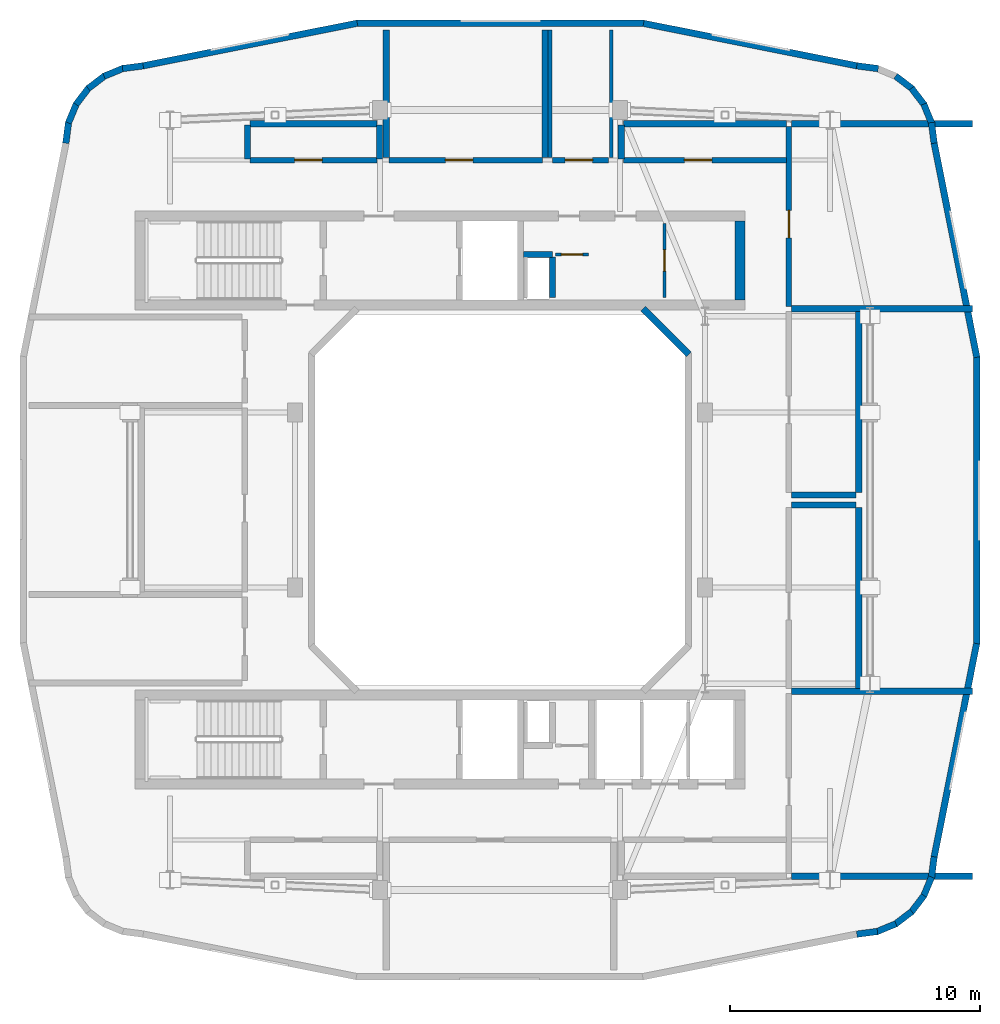
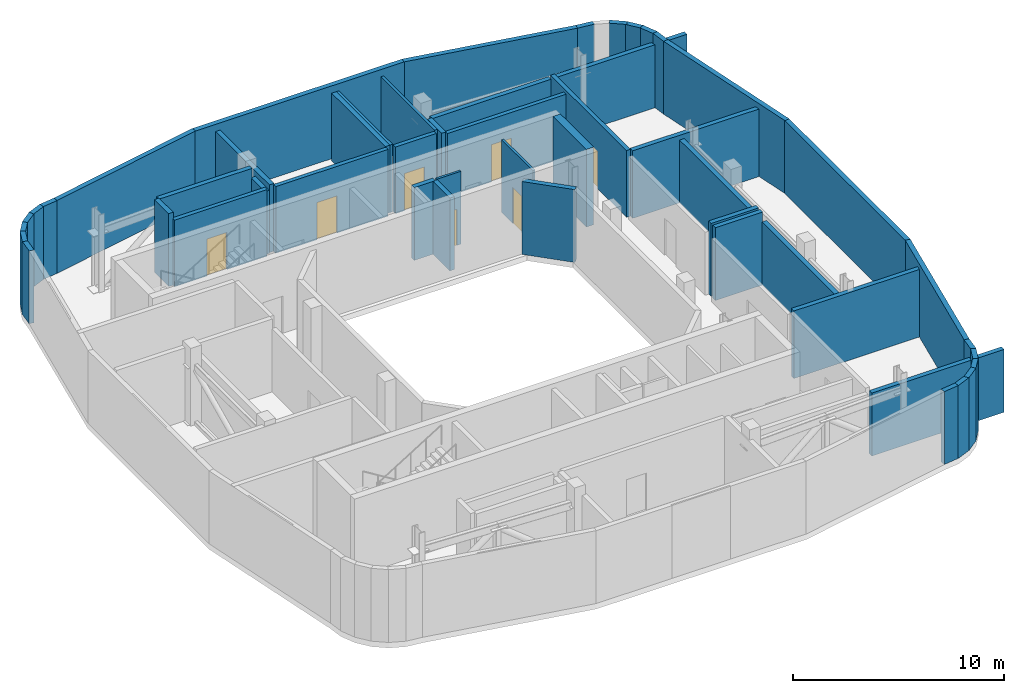
# One storey, part 5 of 9: 51 walls, 7 doors, 7 openings.
"""IFC4 building model written with IfcOpenShell, lengths in metres."""

from ifc_helpers import new_model, si_unit, derived_unit, direction, frame, frame_2d, origin, place, context, subcontext, project, spatial, rectangle, extrude, material, layer, layer_set, type_object, element, fill, save


model = new_model("IFC4")

# Units and contexts
model_context = context("Model", 3, precision=1e-05, world=origin(), true_north=direction((0.0, 1.0)))
body_context = subcontext(model_context, "Body", "Model", "MODEL_VIEW")
ifc_project = project(units=[si_unit("LENGTHUNIT", "METRE"), si_unit("AREAUNIT", "SQUARE_METRE"), si_unit("VOLUMEUNIT", "CUBIC_METRE"), si_unit("PLANEANGLEUNIT", "RADIAN"), si_unit("MASSUNIT", "GRAM", prefix="KILO"), derived_unit("THERMALTRANSMITTANCEUNIT", [(si_unit("POWERUNIT", "WATT"), 1), (si_unit("LENGTHUNIT", "METRE"), -2), (si_unit("THERMODYNAMICTEMPERATUREUNIT", "KELVIN"), -1)])], contexts=[model_context])

# Site, building, storey
site_placement = place(None, origin())
site = spatial("IfcSite", under=ifc_project, at=site_placement, CompositionType="ELEMENT")
building_placement = place(site_placement, origin())
building = spatial("IfcBuilding", under=site, at=building_placement, Name="Kivonza Crest Hotel", CompositionType="ELEMENT")
storey_placement = place(building_placement, frame((0.0, 0.0, 238.699951171875)))
storey = spatial("IfcBuildingStorey", under=building, at=storey_placement, Name="L65", CompositionType="ELEMENT", Elevation=238.699951171875)

# Wall, opening, door
ifc_material_1 = material(Name="Autoclaved aerated concrete blockwork", Category="masonry")
ifc_layer_1 = layer(ifc_material_1, 0.219970703125)
ifc_layer_set_1 = layer_set([ifc_layer_1], Name="Autoclaved aerated concrete blockwork")
wall_type_1 = type_object("IfcWallType", Name="WL-ACOU-220", PredefinedType="SOLIDWALL", material=ifc_layer_set_1)
wall_1_placement = place(storey_placement, frame((16.550048828125, 38.60009765625, 0.0), z_axis=(0.0, 0.0, 1.0), x_axis=(1.0, 0.0, 0.0)))
wall_1 = element("IfcWall", 1, at=wall_1_placement, inside=storey, type_object=wall_type_1, Name="L65 interior partition WA-L65-REF-N-S", PredefinedType="SOLIDWALL", context=body_context, shape_type="SweptSolid", body=[
    extrude(rectangle(XDim=6.14990234375, YDim=0.219970703125, at=frame_2d((3.074951171875, 0.0))), origin(), (0.0, 0.0, 1.0), 3.864990234375),
])
opening_1_placement = place(wall_1_placement, frame((2.262939453125, 0.0, 0.0)))
opening_1 = element("IfcOpeningElement", 2, at=opening_1_placement, cuts=wall_1, Name="Opening DF-120", PredefinedType="OPENING", context=body_context, shape_type="SweptSolid", body=[
    extrude(rectangle(XDim=1.10009765625, YDim=2.14990234375, at=frame_2d((0.550048828125, 1.074951171875))), frame((0.0, 0.1201171875, 0.0), z_axis=(0.0, -1.0, 0.0), x_axis=(1.0, 0.0, 0.0)), (0.0, 0.0, 1.0), 0.239990234375),
])
ifc_material_2 = material(Name="Galvanised steel", Category="steel")
door_type_1 = type_object("IfcDoorType", Name="DR-FD120-1100", OperationType="NOTDEFINED", PredefinedType="DOOR", material=ifc_material_2)
door_1_placement = place(opening_1_placement, origin())
door_1 = element("IfcDoor", 3, at=door_1_placement, inside=storey, type_object=door_type_1, Name="L65 North Protected Refuge Area door", OperationType="SINGLE_SWING_LEFT", OverallHeight=2.14990234375, OverallWidth=1.10009765625, PredefinedType="DOOR", context=body_context, shape_type="SweptSolid", body=[
    extrude(rectangle(XDim=1.10009765625, YDim=2.14990234375, at=frame_2d((0.550048828125, 1.074951171875))), frame((0.0, 0.02490234375, 0.0), z_axis=(0.0, -1.0, 0.0), x_axis=(1.0, 0.0, 0.0)), (0.0, 0.0, 1.0), 0.050048828125),
])
fill(opening_1, door_1)

wall_2_placement = place(storey_placement, frame((23.10009765625, 38.60009765625, 0.0), z_axis=(0.0, 0.0, 1.0), x_axis=(1.0, 0.0, 0.0)))
wall_2 = element("IfcWall", 4, at=wall_2_placement, inside=storey, type_object=wall_type_1, Name="L65 interior partition WA-L65-REF-WC-S", PredefinedType="SOLIDWALL", context=body_context, shape_type="SweptSolid", body=[
    extrude(rectangle(XDim=2.25, YDim=0.219970703125, at=frame_2d((1.125, 0.0))), origin(), (0.0, 0.0, 1.0), 3.864990234375),
])
opening_2_placement = place(wall_2_placement, frame((0.507080078125, 0.0, 0.0)))
opening_2 = element("IfcOpeningElement", 5, at=opening_2_placement, cuts=wall_2, Name="Opening DF-120", PredefinedType="OPENING", context=body_context, shape_type="SweptSolid", body=[
    extrude(rectangle(XDim=1.10009765625, YDim=2.14990234375, at=frame_2d((0.550048828125, 1.074951171875))), frame((0.0, 0.1201171875, 0.0), z_axis=(0.0, -1.0, 0.0), x_axis=(1.0, 0.0, 0.0)), (0.0, 0.0, 1.0), 0.239990234375),
])
door_2_placement = place(opening_2_placement, origin())
door_2 = element("IfcDoor", 6, at=door_2_placement, inside=storey, type_object=door_type_1, Name="L65 Refuge Accessible WC door", OperationType="SINGLE_SWING_RIGHT", OverallHeight=2.14990234375, OverallWidth=1.10009765625, PredefinedType="DOOR", context=body_context, shape_type="SweptSolid", body=[
    extrude(rectangle(XDim=1.10009765625, YDim=2.14990234375, at=frame_2d((0.550048828125, 1.074951171875))), frame((0.0, 0.02490234375, 0.0), z_axis=(0.0, -1.0, 0.0), x_axis=(1.0, 0.0, 0.0)), (0.0, 0.0, 1.0), 0.050048828125),
])
fill(opening_2, door_2)

wall_3_placement = place(storey_placement, frame((11.0, 38.60009765625, 0.0), z_axis=(0.0, 0.0, 1.0), x_axis=(1.0, 0.0, 0.0)))
wall_3 = element("IfcWall", 7, at=wall_3_placement, inside=storey, type_object=wall_type_1, Name="L65 interior partition WA-L65-PL-MNW-S", PredefinedType="SOLIDWALL", context=body_context, shape_type="SweptSolid", body=[
    extrude(rectangle(XDim=5.080078125, YDim=0.219970703125, at=frame_2d((2.5400390625, 0.0))), origin(), (0.0, 0.0, 1.0), 3.864990234375),
])
opening_3_placement = place(wall_3_placement, frame((1.781005859375, 0.0, 0.0)))
opening_3 = element("IfcOpeningElement", 8, at=opening_3_placement, cuts=wall_3, Name="Opening DF-120", PredefinedType="OPENING", context=body_context, shape_type="SweptSolid", body=[
    extrude(rectangle(XDim=1.10009765625, YDim=2.14990234375, at=frame_2d((0.550048828125, 1.074951171875))), frame((0.0, 0.1201171875, 0.0), z_axis=(0.0, -1.0, 0.0), x_axis=(1.0, 0.0, 0.0)), (0.0, 0.0, 1.0), 0.239990234375),
])
door_3_placement = place(opening_3_placement, origin())
door_3 = element("IfcDoor", 9, at=door_3_placement, inside=storey, type_object=door_type_1, Name="L65 North-West Exhaust Plant Room door", OperationType="SINGLE_SWING_RIGHT", OverallHeight=2.14990234375, OverallWidth=1.10009765625, PredefinedType="DOOR", context=body_context, shape_type="SweptSolid", body=[
    extrude(rectangle(XDim=1.10009765625, YDim=2.14990234375, at=frame_2d((0.550048828125, 1.074951171875))), frame((0.0, 0.02490234375, 0.0), z_axis=(0.0, -1.0, 0.0), x_axis=(1.0, 0.0, 0.0)), (0.0, 0.0, 1.0), 0.050048828125),
])
fill(opening_3, door_3)

wall_4_placement = place(storey_placement, frame((25.949951171875, 38.60009765625, 0.0), z_axis=(0.0, 0.0, 1.0), x_axis=(1.0, 0.0, 0.0)))
wall_4 = element("IfcWall", 10, at=wall_4_placement, inside=storey, type_object=wall_type_1, Name="L65 interior partition WA-L65-PL-MIDN-S", PredefinedType="SOLIDWALL", context=body_context, shape_type="SweptSolid", body=[
    extrude(rectangle(XDim=6.510009765625, YDim=0.219970703125, at=frame_2d((3.2548828125, 0.0))), origin(), (0.0, 0.0, 1.0), 3.64501953125),
])
opening_4_placement = place(wall_4_placement, frame((2.425048828125, 0.0, 0.0)))
opening_4 = element("IfcOpeningElement", 11, at=opening_4_placement, cuts=wall_4, Name="Opening DF-120", PredefinedType="OPENING", context=body_context, shape_type="SweptSolid", body=[
    extrude(rectangle(XDim=1.10009765625, YDim=2.14990234375, at=frame_2d((0.550048828125, 1.074951171875))), frame((0.0, 0.1201171875, 0.0), z_axis=(0.0, -1.0, 0.0), x_axis=(1.0, 0.0, 0.0)), (0.0, 0.0, 1.0), 0.239990234375),
])
door_4_placement = place(opening_4_placement, origin())
door_4 = element("IfcDoor", 12, at=door_4_placement, inside=storey, type_object=door_type_1, Name="L65 North-East Header Plant Room door", OperationType="SINGLE_SWING_RIGHT", OverallHeight=2.14990234375, OverallWidth=1.10009765625, PredefinedType="DOOR", context=body_context, shape_type="SweptSolid", body=[
    extrude(rectangle(XDim=1.10009765625, YDim=2.14990234375, at=frame_2d((0.550048828125, 1.074951171875))), frame((0.0, 0.02490234375, 0.0), z_axis=(0.0, -1.0, 0.0), x_axis=(1.0, 0.0, 0.0)), (0.0, 0.0, 1.0), 0.050048828125),
])
fill(opening_4, door_4)

wall_5_placement = place(storey_placement, frame((32.56005859375, 32.75, 0.0), z_axis=(0.0, 0.0, 1.0), x_axis=(0.0, 1.0, 0.0)))
wall_5 = element("IfcWall", 13, at=wall_5_placement, inside=storey, type_object=wall_type_1, Name="L65 interior partition WA-L65-PL-ESTN-W", PredefinedType="SOLIDWALL", context=body_context, shape_type="SweptSolid", body=[
    extrude(rectangle(XDim=7.199951171875, YDim=0.219970703125, at=frame_2d((3.60009765625, 0.0))), origin(), (0.0, 0.0, 1.0), 3.864990234375),
])
opening_5_placement = place(wall_5_placement, frame((2.735107421875, 0.0, 0.0)))
opening_5 = element("IfcOpeningElement", 14, at=opening_5_placement, cuts=wall_5, Name="Opening DF-120", PredefinedType="OPENING", context=body_context, shape_type="SweptSolid", body=[
    extrude(rectangle(XDim=1.10009765625, YDim=2.14990234375, at=frame_2d((0.550048828125, 1.074951171875))), frame((0.0, 0.1201171875, 0.0), z_axis=(0.0, -1.0, 0.0), x_axis=(1.0, 0.0, 0.0)), (0.0, 0.0, 1.0), 0.239990234375),
])
door_5_placement = place(opening_5_placement, frame((1.10009765625, 0.0, 0.0), z_axis=(0.0, 0.0, 1.0), x_axis=(-1.0, 0.0, 0.0)))
door_5 = element("IfcDoor", 15, at=door_5_placement, inside=storey, type_object=door_type_1, Name="L65 North-East Pressurization Fan Plant Room door", OperationType="SINGLE_SWING_RIGHT", OverallHeight=2.14990234375, OverallWidth=1.10009765625, PredefinedType="DOOR", context=body_context, shape_type="SweptSolid", body=[
    extrude(rectangle(XDim=1.10009765625, YDim=2.14990234375, at=frame_2d((0.550048828125, 1.074951171875))), frame((0.0, 0.02490234375, 0.0), z_axis=(0.0, -1.0, 0.0), x_axis=(1.0, 0.0, 0.0)), (0.0, 0.0, 1.0), 0.050048828125),
])
fill(opening_5, door_5)

# Walls
ifc_material_3 = material(Name="Concrete C50/60", Category="concrete")
ifc_layer_2 = layer(ifc_material_3, 0.39990234375)
ifc_layer_set_2 = layer_set([ifc_layer_2], Name="Concrete C50/60")
wall_type_2 = type_object("IfcWallType", Name="WL-CORE-400", PredefinedType="SHEAR", material=ifc_layer_set_2)
wall_6_placement = place(storey_placement, frame((30.60009765625, 33.0, 0.0), z_axis=(0.0, 0.0, 1.0), x_axis=(0.0, 1.0, 0.0)))
element("IfcWall", 16, at=wall_6_placement, inside=storey, type_object=wall_type_2, Name="Core wall T1-N East L65", PredefinedType="SHEAR", context=body_context, shape_type="SweptSolid", body=[
    extrude(rectangle(XDim=3.159912109375, YDim=0.39990234375, at=frame_2d((1.580078125, 0.0))), origin(), (0.0, 0.0, 1.0), 4.5),
])
ifc_material_4 = material(Name="Precast concrete C40/50", Category="concrete")
ifc_layer_3 = layer(ifc_material_4, 0.260009765625)
ifc_layer_set_3 = layer_set([ifc_layer_3], Name="Precast concrete C40/50")
wall_type_3 = type_object("IfcWallType", Name="WL-EXT-260", PredefinedType="STANDARD", material=ifc_layer_set_3)
wall_7_placement = place(storey_placement, frame((35.27490234375, 7.6279296875, 0.0), z_axis=(0.0, 0.0, 1.0), x_axis=(0.9913883573, 0.130954667764, 0.0)))
element("IfcWall", 17, at=wall_7_placement, inside=storey, type_object=wall_type_3, Name="L65 T1 exterior insulated wall 10", PredefinedType="STANDARD", context=body_context, shape_type="SweptSolid", body=[
    extrude(rectangle(XDim=0.833251953125, YDim=0.260009765625, at=frame_2d((0.41650390625, 0.0))), origin(), (0.0, 0.0, 1.0), 4.219970703125),
])
wall_8_placement = place(storey_placement, frame((36.054931640625, 7.718994140625, 0.0), z_axis=(0.0, 0.0, 1.0), x_axis=(0.923754491172, 0.382985169477, 0.0)))
element("IfcWall", 18, at=wall_8_placement, inside=storey, type_object=wall_type_3, Name="L65 T1 exterior insulated wall 11", PredefinedType="STANDARD", context=body_context, shape_type="SweptSolid", body=[
    extrude(rectangle(XDim=0.85107421875, YDim=0.260009765625, at=frame_2d((0.425537109375, 0.0))), origin(), (0.0, 0.0, 1.0), 4.219970703125),
])
for number, where, z_axis, x_axis, name in (
    (19, (36.801025390625, 8.01708984375, 0.0), (0.0, 0.0, 1.0), (0.793999057278, 0.607918988881, 0.0), "L65 T1 exterior insulated wall 12"),
    (20, (37.445068359375, 8.49609375, 0.0), (0.0, 0.0, 1.0), (0.608057619941, 0.793892896323, 0.0), "L65 T1 exterior insulated wall 13"),
):
    element("IfcWall", number, at=place(storey_placement, frame(where, z_axis=z_axis, x_axis=x_axis)), inside=storey, type_object=wall_type_3, Name=name, PredefinedType="STANDARD", context=body_context, shape_type="SweptSolid", body=[
        extrude(rectangle(XDim=0.85009765625, YDim=0.260009765625, at=frame_2d((0.425048828125, 0.0))), origin(), (0.0, 0.0, 1.0), 4.219970703125),
    ])
wall_9_placement = place(storey_placement, frame((37.94091796875, 9.126953125, 0.0), z_axis=(0.0, 0.0, 1.0), x_axis=(0.383229930484, 0.923652976167, 0.0)))
element("IfcWall", 21, at=wall_9_placement, inside=storey, type_object=wall_type_3, Name="L65 T1 exterior insulated wall 14", PredefinedType="STANDARD", context=body_context, shape_type="SweptSolid", body=[
    extrude(rectangle(XDim=0.85107421875, YDim=0.260009765625, at=frame_2d((0.425537109375, 0.0))), origin(), (0.0, 0.0, 1.0), 4.219970703125),
])
wall_10_placement = place(storey_placement, frame((38.259033203125, 9.864013671875, 0.0), z_axis=(0.0, 0.0, 1.0), x_axis=(0.130156359936, 0.991493480548, 0.0)))
element("IfcWall", 22, at=wall_10_placement, inside=storey, type_object=wall_type_3, Name="L65 T1 exterior insulated wall 15", PredefinedType="STANDARD", context=body_context, shape_type="SweptSolid", body=[
    extrude(rectangle(XDim=0.868408203125, YDim=0.260009765625, at=frame_2d((0.43408203125, 0.0))), origin(), (0.0, 0.0, 1.0), 4.219970703125),
])
wall_11_placement = place(storey_placement, frame((38.37109375, 10.717041015625, 0.0), z_axis=(0.0, 0.0, 1.0), x_axis=(0.1952747242, 0.980748582507, 0.0)))
element("IfcWall", 23, at=wall_11_placement, inside=storey, type_object=wall_type_3, Name="L65 T1 exterior insulated wall 16", PredefinedType="STANDARD", context=body_context, shape_type="SweptSolid", body=[
    extrude(rectangle(XDim=8.705322265625, YDim=0.260009765625, at=frame_2d((4.3525390625, 0.0))), origin(), (0.0, 0.0, 1.0), 4.219970703125),
])
wall_12_placement = place(storey_placement, frame((40.070068359375, 19.215087890625, 0.0), z_axis=(0.0, 0.0, 1.0), x_axis=(0.0, 1.0, 0.0)))
element("IfcWall", 24, at=wall_12_placement, inside=storey, type_object=wall_type_3, Name="L65 T1 exterior insulated wall 17", PredefinedType="STANDARD", context=body_context, shape_type="SweptSolid", body=[
    extrude(rectangle(XDim=11.534912109375, YDim=0.260009765625, at=frame_2d((5.767578125, 0.0))), origin(), (0.0, 0.0, 1.0), 4.219970703125),
])
wall_13_placement = place(storey_placement, frame((40.077880859375, 30.7099609375, 0.0), z_axis=(0.0, 0.0, 1.0), x_axis=(-0.195256683773, 0.980752174324, 0.0)))
element("IfcWall", 25, at=wall_13_placement, inside=storey, type_object=wall_type_3, Name="L65 T1 exterior insulated wall 18", PredefinedType="STANDARD", context=body_context, shape_type="SweptSolid", body=[
    extrude(rectangle(XDim=8.7412109375, YDim=0.260009765625, at=frame_2d((4.37060546875, 0.0))), origin(), (0.0, 0.0, 1.0), 4.219970703125),
])
wall_14_placement = place(storey_placement, frame((38.3720703125, 39.27490234375, 0.0), z_axis=(0.0, 0.0, 1.0), x_axis=(-0.130954667764, 0.9913883573, 0.0)))
element("IfcWall", 26, at=wall_14_placement, inside=storey, type_object=wall_type_3, Name="L65 T1 exterior insulated wall 19", PredefinedType="STANDARD", context=body_context, shape_type="SweptSolid", body=[
    extrude(rectangle(XDim=0.833251953125, YDim=0.260009765625, at=frame_2d((0.41650390625, 0.0))), origin(), (0.0, 0.0, 1.0), 4.219970703125),
])
wall_15_placement = place(storey_placement, frame((38.281005859375, 40.054931640625, 0.0), z_axis=(0.0, 0.0, 1.0), x_axis=(-0.382985169477, 0.923754491172, 0.0)))
element("IfcWall", 27, at=wall_15_placement, inside=storey, type_object=wall_type_3, Name="L65 T1 exterior insulated wall 20", PredefinedType="STANDARD", context=body_context, shape_type="SweptSolid", body=[
    extrude(rectangle(XDim=0.85107421875, YDim=0.260009765625, at=frame_2d((0.425537109375, 0.0))), origin(), (0.0, 0.0, 1.0), 4.219970703125),
])
for number, where, z_axis, x_axis, name in (
    (28, (37.98291015625, 40.801025390625, 0.0), (0.0, 0.0, 1.0), (-0.607918988881, 0.793999057278, 0.0), "L65 T1 exterior insulated wall 21"),
    (29, (37.50390625, 41.445068359375, 0.0), (0.0, 0.0, 1.0), (-0.793892896323, 0.608057619941, 0.0), "L65 T1 exterior insulated wall 22"),
):
    element("IfcWall", number, at=place(storey_placement, frame(where, z_axis=z_axis, x_axis=x_axis)), inside=storey, type_object=wall_type_3, Name=name, PredefinedType="STANDARD", context=body_context, shape_type="SweptSolid", body=[
        extrude(rectangle(XDim=0.85009765625, YDim=0.260009765625, at=frame_2d((0.425048828125, 0.0))), origin(), (0.0, 0.0, 1.0), 4.219970703125),
    ])
wall_16_placement = place(storey_placement, frame((36.135986328125, 42.259033203125, 0.0), z_axis=(0.0, 0.0, 1.0), x_axis=(-0.991493480548, 0.130156359936, 0.0)))
element("IfcWall", 30, at=wall_16_placement, inside=storey, type_object=wall_type_3, Name="L65 T1 exterior insulated wall 24", PredefinedType="STANDARD", context=body_context, shape_type="SweptSolid", body=[
    extrude(rectangle(XDim=0.868408203125, YDim=0.260009765625, at=frame_2d((0.43408203125, 0.0))), origin(), (0.0, 0.0, 1.0), 4.219970703125),
])
wall_17_placement = place(storey_placement, frame((35.282958984375, 42.37109375, 0.0), z_axis=(0.0, 0.0, 1.0), x_axis=(-0.980748582507, 0.1952747242, 0.0)))
element("IfcWall", 31, at=wall_17_placement, inside=storey, type_object=wall_type_3, Name="L65 T1 exterior insulated wall 25", PredefinedType="STANDARD", context=body_context, shape_type="SweptSolid", body=[
    extrude(rectangle(XDim=8.705322265625, YDim=0.260009765625, at=frame_2d((4.3525390625, 0.0))), origin(), (0.0, 0.0, 1.0), 4.219970703125),
])
wall_18_placement = place(storey_placement, frame((26.784912109375, 44.070068359375, 0.0), z_axis=(0.0, 0.0, 1.0), x_axis=(-1.0, 0.0, 0.0)))
element("IfcWall", 32, at=wall_18_placement, inside=storey, type_object=wall_type_3, Name="L65 T1 exterior insulated wall 26", PredefinedType="STANDARD", context=body_context, shape_type="SweptSolid", body=[
    extrude(rectangle(XDim=11.534912109375, YDim=0.260009765625, at=frame_2d((5.767578125, 0.0))), origin(), (0.0, 0.0, 1.0), 4.219970703125),
])
wall_19_placement = place(storey_placement, frame((15.2900390625, 44.077880859375, 0.0), z_axis=(0.0, 0.0, 1.0), x_axis=(-0.980752174324, -0.195256683773, 0.0)))
element("IfcWall", 33, at=wall_19_placement, inside=storey, type_object=wall_type_3, Name="L65 T1 exterior insulated wall 27", PredefinedType="STANDARD", context=body_context, shape_type="SweptSolid", body=[
    extrude(rectangle(XDim=8.7412109375, YDim=0.260009765625, at=frame_2d((4.37060546875, 0.0))), origin(), (0.0, 0.0, 1.0), 4.219970703125),
])
wall_20_placement = place(storey_placement, frame((6.72509765625, 42.3720703125, 0.0), z_axis=(0.0, 0.0, 1.0), x_axis=(-0.9913883573, -0.130954667764, 0.0)))
element("IfcWall", 34, at=wall_20_placement, inside=storey, type_object=wall_type_3, Name="L65 T1 exterior insulated wall 28", PredefinedType="STANDARD", context=body_context, shape_type="SweptSolid", body=[
    extrude(rectangle(XDim=0.833251953125, YDim=0.260009765625, at=frame_2d((0.41650390625, 0.0))), origin(), (0.0, 0.0, 1.0), 4.219970703125),
])
wall_21_placement = place(storey_placement, frame((5.945068359375, 42.281005859375, 0.0), z_axis=(0.0, 0.0, 1.0), x_axis=(-0.923754491172, -0.382985169477, 0.0)))
element("IfcWall", 35, at=wall_21_placement, inside=storey, type_object=wall_type_3, Name="L65 T1 exterior insulated wall 29", PredefinedType="STANDARD", context=body_context, shape_type="SweptSolid", body=[
    extrude(rectangle(XDim=0.85107421875, YDim=0.260009765625, at=frame_2d((0.425537109375, 0.0))), origin(), (0.0, 0.0, 1.0), 4.219970703125),
])
for number, where, z_axis, x_axis, name in (
    (36, (5.198974609375, 41.98291015625, 0.0), (0.0, 0.0, 1.0), (-0.793999057278, -0.607918988881, 0.0), "L65 T1 exterior insulated wall 30"),
    (37, (4.554931640625, 41.50390625, 0.0), (0.0, 0.0, 1.0), (-0.608057619941, -0.793892896323, 0.0), "L65 T1 exterior insulated wall 31"),
):
    element("IfcWall", number, at=place(storey_placement, frame(where, z_axis=z_axis, x_axis=x_axis)), inside=storey, type_object=wall_type_3, Name=name, PredefinedType="STANDARD", context=body_context, shape_type="SweptSolid", body=[
        extrude(rectangle(XDim=0.85009765625, YDim=0.260009765625, at=frame_2d((0.425048828125, 0.0))), origin(), (0.0, 0.0, 1.0), 4.219970703125),
    ])
wall_22_placement = place(storey_placement, frame((4.05908203125, 40.873046875, 0.0), z_axis=(0.0, 0.0, 1.0), x_axis=(-0.383229930484, -0.923652976167, 0.0)))
element("IfcWall", 38, at=wall_22_placement, inside=storey, type_object=wall_type_3, Name="L65 T1 exterior insulated wall 32", PredefinedType="STANDARD", context=body_context, shape_type="SweptSolid", body=[
    extrude(rectangle(XDim=0.85107421875, YDim=0.260009765625, at=frame_2d((0.425537109375, 0.0))), origin(), (0.0, 0.0, 1.0), 4.219970703125),
])
wall_23_placement = place(storey_placement, frame((3.740966796875, 40.135986328125, 0.0), z_axis=(0.0, 0.0, 1.0), x_axis=(-0.130156359936, -0.991493480548, 0.0)))
element("IfcWall", 39, at=wall_23_placement, inside=storey, type_object=wall_type_3, Name="L65 T1 exterior insulated wall 33", PredefinedType="STANDARD", context=body_context, shape_type="SweptSolid", body=[
    extrude(rectangle(XDim=0.868408203125, YDim=0.260009765625, at=frame_2d((0.43408203125, 0.0))), origin(), (0.0, 0.0, 1.0), 4.219970703125),
])
wall_24_placement = place(storey_placement, frame((28.555908203125, 30.827880859375, 0.0), z_axis=(0.0, 0.0, 1.0), x_axis=(-0.707059717605, 0.707153841636, 0.0)))
element("IfcWall", 40, at=wall_24_placement, inside=storey, type_object=wall_type_3, Name="L65 T1 light-well exterior wall 4", PredefinedType="STANDARD", context=body_context, shape_type="SweptSolid", body=[
    extrude(rectangle(XDim=2.59375, YDim=0.260009765625, at=frame_2d((1.296875, 0.0))), origin(), (0.0, 0.0, 1.0), 4.219970703125),
])
ifc_material_5 = material(Name="Concrete blockwork fire-compartment wall", Category="masonry")
ifc_layer_4 = layer(ifc_material_5, 0.25)
ifc_layer_set_4 = layer_set([ifc_layer_4], Name="Concrete blockwork fire-compartment wall")
wall_type_4 = type_object("IfcWallType", Name="WL-FIRE-250", PredefinedType="SOLIDWALL", material=ifc_layer_set_4)
wall_25_placement = place(storey_placement, frame((23.10009765625, 33.10009765625, 0.0), z_axis=(0.0, 0.0, 1.0), x_axis=(0.0, 1.0, 0.0)))
element("IfcWall", 41, at=wall_25_placement, inside=storey, type_object=wall_type_4, Name="L65 interior partition WA-L65-T1-N-MEPR-E", PredefinedType="SOLIDWALL", context=body_context, shape_type="SweptSolid", body=[
    extrude(rectangle(XDim=1.619873046875, YDim=0.25, at=frame_2d((0.81005859375, 0.0))), origin(), (0.0, 0.0, 1.0), 4.219970703125),
])
wall_26_placement = place(storey_placement, frame((21.949951171875, 34.820068359375, 0.0), z_axis=(0.0, 0.0, 1.0), x_axis=(1.0, 0.0, 0.0)))
element("IfcWall", 42, at=wall_26_placement, inside=storey, type_object=wall_type_4, Name="L65 interior partition WA-L65-T1-N-MEPR-H", PredefinedType="SOLIDWALL", context=body_context, shape_type="SweptSolid", body=[
    extrude(rectangle(XDim=1.150146484375, YDim=0.25, at=frame_2d((0.5751953125, 0.0))), origin(), (0.0, 0.0, 1.0), 4.219970703125),
])
for number, where, z_axis, x_axis, name in (
    (43, (16.449951171875, 38.699951171875, 0.0), (0.0, 0.0, 1.0), (0.0, 1.0, 0.0), "L65 interior partition WP-L65-REF-N-BW"),
    (44, (22.800048828125, 38.699951171875, 0.0), (0.0, 0.0, 1.0), (0.0, 1.0, 0.0), "L65 interior partition WP-L65-REF-N-BE"),
):
    element("IfcWall", number, at=place(storey_placement, frame(where, z_axis=z_axis, x_axis=x_axis)), inside=storey, type_object=wall_type_4, Name=name, PredefinedType="SOLIDWALL", context=body_context, shape_type="SweptSolid", body=[
        extrude(rectangle(XDim=5.10009765625, YDim=0.25, at=frame_2d((2.550048828125, 0.0))), origin(), (0.0, 0.0, 1.0), 3.9150390625),
    ])
wall_27_placement = place(storey_placement, frame((10.89990234375, 38.64990234375, 0.0), z_axis=(0.0, 0.0, 1.0), x_axis=(0.0, 1.0, 0.0)))
element("IfcWall", 45, at=wall_27_placement, inside=storey, type_object=wall_type_4, Name="L65 interior partition WP-L65-PL-MNW-BW", PredefinedType="SOLIDWALL", context=body_context, shape_type="SweptSolid", body=[
    extrude(rectangle(XDim=1.35009765625, YDim=0.25, at=frame_2d((0.675048828125, 0.0))), origin(), (0.0, 0.0, 1.0), 4.219970703125),
])
wall_28_placement = place(storey_placement, frame((16.179931640625, 38.64990234375, 0.0), z_axis=(0.0, 0.0, 1.0), x_axis=(0.0, 1.0, 0.0)))
element("IfcWall", 46, at=wall_28_placement, inside=storey, type_object=wall_type_4, Name="L65 interior partition WP-L65-PL-MNW-BE", PredefinedType="SOLIDWALL", context=body_context, shape_type="SweptSolid", body=[
    extrude(rectangle(XDim=1.35009765625, YDim=0.25, at=frame_2d((0.675048828125, 0.0))), origin(), (0.0, 0.0, 1.0), 3.64501953125),
])
wall_29_placement = place(storey_placement, frame((11.0, 40.050048828125, 0.0), z_axis=(0.0, 0.0, 1.0), x_axis=(1.0, 0.0, 0.0)))
element("IfcWall", 47, at=wall_29_placement, inside=storey, type_object=wall_type_4, Name="L65 interior partition WP-L65-PL-MNW-BN", PredefinedType="SOLIDWALL", context=body_context, shape_type="SweptSolid", body=[
    extrude(rectangle(XDim=5.080078125, YDim=0.25, at=frame_2d((2.5400390625, 0.0))), origin(), (0.0, 0.0, 1.0), 4.219970703125),
])
wall_30_placement = place(storey_placement, frame((25.85009765625, 38.64990234375, 0.0), z_axis=(0.0, 0.0, 1.0), x_axis=(0.0, 1.0, 0.0)))
element("IfcWall", 48, at=wall_30_placement, inside=storey, type_object=wall_type_4, Name="L65 interior partition WP-L65-PL-MIDN-BW", PredefinedType="SOLIDWALL", context=body_context, shape_type="SweptSolid", body=[
    extrude(rectangle(XDim=1.35009765625, YDim=0.25, at=frame_2d((0.675048828125, 0.0))), origin(), (0.0, 0.0, 1.0), 3.64501953125),
])
wall_31_placement = place(storey_placement, frame((25.949951171875, 40.050048828125, 0.0), z_axis=(0.0, 0.0, 1.0), x_axis=(1.0, 0.0, 0.0)))
element("IfcWall", 49, at=wall_31_placement, inside=storey, type_object=wall_type_4, Name="L65 interior partition WP-L65-PL-MIDN-BN", PredefinedType="SOLIDWALL", context=body_context, shape_type="SweptSolid", body=[
    extrude(rectangle(XDim=6.510009765625, YDim=0.25, at=frame_2d((3.2548828125, 0.0))), origin(), (0.0, 0.0, 1.0), 3.64501953125),
])
wall_32_placement = place(storey_placement, frame((35.35009765625, 17.449951171875, 0.0), z_axis=(0.0, 0.0, 1.0), x_axis=(0.0, 1.0, 0.0)))
element("IfcWall", 50, at=wall_32_placement, inside=storey, type_object=wall_type_4, Name="L65 interior partition WP-L65-PL-HEX-BE", PredefinedType="SOLIDWALL", context=body_context, shape_type="SweptSolid", body=[
    extrude(rectangle(XDim=7.25, YDim=0.25, at=frame_2d((3.625, 0.0))), origin(), (0.0, 0.0, 1.0), 3.64501953125),
])
wall_33_placement = place(storey_placement, frame((32.659912109375, 24.800048828125, 0.0), z_axis=(0.0, 0.0, 1.0), x_axis=(1.0, 0.0, 0.0)))
element("IfcWall", 51, at=wall_33_placement, inside=storey, type_object=wall_type_4, Name="L65 interior partition WP-L65-PL-HEX-BN", PredefinedType="SOLIDWALL", context=body_context, shape_type="SweptSolid", body=[
    extrude(rectangle(XDim=2.590087890625, YDim=0.25, at=frame_2d((1.294921875, 0.0))), origin(), (0.0, 0.0, 1.0), 4.219970703125),
])
wall_34_placement = place(storey_placement, frame((35.35009765625, 25.300048828125, 0.0), z_axis=(0.0, 0.0, 1.0), x_axis=(0.0, 1.0, 0.0)))
element("IfcWall", 52, at=wall_34_placement, inside=storey, type_object=wall_type_4, Name="L65 interior partition WP-L65-PL-SWG-BE", PredefinedType="SOLIDWALL", context=body_context, shape_type="SweptSolid", body=[
    extrude(rectangle(XDim=7.25, YDim=0.25, at=frame_2d((3.625, 0.0))), origin(), (0.0, 0.0, 1.0), 3.64501953125),
])
wall_35_placement = place(storey_placement, frame((32.659912109375, 25.199951171875, 0.0), z_axis=(0.0, 0.0, 1.0), x_axis=(1.0, 0.0, 0.0)))
element("IfcWall", 53, at=wall_35_placement, inside=storey, type_object=wall_type_4, Name="L65 interior partition WP-L65-PL-SWG-BS", PredefinedType="SOLIDWALL", context=body_context, shape_type="SweptSolid", body=[
    extrude(rectangle(XDim=2.590087890625, YDim=0.25, at=frame_2d((1.294921875, 0.0))), origin(), (0.0, 0.0, 1.0), 4.219970703125),
])
wall_36_placement = place(storey_placement, frame((32.659912109375, 9.949951171875, 0.0), z_axis=(0.0, 0.0, 1.0), x_axis=(1.0, 0.0, 0.0)))
element("IfcWall", 54, at=wall_36_placement, inside=storey, type_object=wall_type_4, Name="L65 interior partition WP-L65-PL-ESTS-BS", PredefinedType="SOLIDWALL", context=body_context, shape_type="SweptSolid", body=[
    extrude(rectangle(XDim=7.239990234375, YDim=0.25, at=frame_2d((3.6201171875, 0.0))), origin(), (0.0, 0.0, 1.0), 3.64501953125),
])
for number, where, z_axis, x_axis, name in (
    (55, (32.659912109375, 17.35009765625, 0.0), (0.0, 0.0, 1.0), (1.0, 0.0, 0.0), "L65 interior partition WP-L65-PL-ESTS-BN"),
    (56, (32.659912109375, 32.64990234375, 0.0), (0.0, 0.0, 1.0), (1.0, 0.0, 0.0), "L65 interior partition WP-L65-PL-ESTN-BS"),
):
    element("IfcWall", number, at=place(storey_placement, frame(where, z_axis=z_axis, x_axis=x_axis)), inside=storey, type_object=wall_type_4, Name=name, PredefinedType="SOLIDWALL", context=body_context, shape_type="SweptSolid", body=[
        extrude(rectangle(XDim=7.239990234375, YDim=0.25, at=frame_2d((3.6201171875, 0.0))), origin(), (0.0, 0.0, 1.0), 3.9150390625),
    ])
wall_37_placement = place(storey_placement, frame((32.659912109375, 40.050048828125, 0.0), z_axis=(0.0, 0.0, 1.0), x_axis=(1.0, 0.0, 0.0)))
element("IfcWall", 57, at=wall_37_placement, inside=storey, type_object=wall_type_4, Name="L65 interior partition WP-L65-PL-ESTN-BN", PredefinedType="SOLIDWALL", context=body_context, shape_type="SweptSolid", body=[
    extrude(rectangle(XDim=7.239990234375, YDim=0.25, at=frame_2d((3.6201171875, 0.0))), origin(), (0.0, 0.0, 1.0), 3.64501953125),
])

# Wall, opening, door
ifc_material_6 = material(Name="Metal-stud gypsum board partition", Category="gypsum")
ifc_layer_5 = layer(ifc_material_6, 0.125)
ifc_layer_set_5 = layer_set([ifc_layer_5], Name="Metal-stud gypsum board partition")
wall_type_5 = type_object("IfcWallType", Name="WL-PART-125", PredefinedType="PARTITIONING", material=ifc_layer_set_5)
wall_38_placement = place(storey_placement, frame((27.580078125, 33.10009765625, 0.0), z_axis=(0.0, 0.0, 1.0), x_axis=(0.0, 1.0, 0.0)))
wall_38 = element("IfcWall", 58, at=wall_38_placement, inside=storey, type_object=wall_type_5, Name="L65 interior partition WP-L65-T1-N-RECL", PredefinedType="PARTITIONING", context=body_context, shape_type="SweptSolid", body=[
    extrude(rectangle(XDim=2.9599609375, YDim=0.125, at=frame_2d((1.47998046875, 0.0))), origin(), (0.0, 0.0, 1.0), 4.219970703125),
])
opening_6_placement = place(wall_38_placement, frame((1.054931640625, 0.0, 0.0)))
opening_6 = element("IfcOpeningElement", 59, at=opening_6_placement, cuts=wall_38, Name="Opening DI-85", PredefinedType="OPENING", context=body_context, shape_type="SweptSolid", body=[
    extrude(rectangle(XDim=0.85009765625, YDim=2.10009765625, at=frame_2d((0.425048828125, 1.050048828125))), frame((0.0, 0.072509765625, 0.0), z_axis=(0.0, -1.0, 0.0), x_axis=(1.0, 0.0, 0.0)), (0.0, 0.0, 1.0), 0.14501953125),
])
ifc_material_7 = material(Name="Hardwood timber oak", Category="wood")
door_type_2 = type_object("IfcDoorType", Name="DR-INT-850", OperationType="NOTDEFINED", PredefinedType="DOOR", material=ifc_material_7)
door_6_placement = place(opening_6_placement, origin())
door_6 = element("IfcDoor", 60, at=door_6_placement, inside=storey, type_object=door_type_2, Name="L65 T1-N reclaimed inner pantry door", OperationType="SINGLE_SWING_LEFT", OverallHeight=2.10009765625, OverallWidth=0.85009765625, PredefinedType="DOOR", context=body_context, shape_type="SweptSolid", body=[
    extrude(rectangle(XDim=0.85009765625, YDim=2.10009765625, at=frame_2d((0.425048828125, 1.050048828125))), frame((0.0, 0.02490234375, 0.0), z_axis=(0.0, -1.0, 0.0), x_axis=(1.0, 0.0, 0.0)), (0.0, 0.0, 1.0), 0.050048828125),
])
fill(opening_6, door_6)

wall_39_placement = place(storey_placement, frame((23.219970703125, 34.820068359375, 0.0), z_axis=(0.0, 0.0, 1.0), x_axis=(1.0, 0.0, 0.0)))
wall_39 = element("IfcWall", 61, at=wall_39_placement, inside=storey, type_object=wall_type_5, Name="L65 interior partition WP-L65-T1-N-SV3H", PredefinedType="PARTITIONING", context=body_context, shape_type="SweptSolid", body=[
    extrude(rectangle(XDim=1.330078125, YDim=0.125, at=frame_2d((0.6650390625, 0.0))), origin(), (0.0, 0.0, 1.0), 4.219970703125),
])
opening_7_placement = place(wall_39_placement, frame((0.239990234375, 0.0, 0.0)))
opening_7 = element("IfcOpeningElement", 62, at=opening_7_placement, cuts=wall_39, Name="Opening DI-85", PredefinedType="OPENING", context=body_context, shape_type="SweptSolid", body=[
    extrude(rectangle(XDim=0.85009765625, YDim=2.10009765625, at=frame_2d((0.425048828125, 1.050048828125))), frame((0.0, 0.072509765625, 0.0), z_axis=(0.0, -1.0, 0.0), x_axis=(1.0, 0.0, 0.0)), (0.0, 0.0, 1.0), 0.14501953125),
])
door_7_placement = place(opening_7_placement, origin())
door_7 = element("IfcDoor", 63, at=door_7_placement, inside=storey, type_object=door_type_2, Name="L65 T1-N inner manifold door", OperationType="SINGLE_SWING_LEFT", OverallHeight=2.10009765625, OverallWidth=0.85009765625, PredefinedType="DOOR", context=body_context, shape_type="SweptSolid", body=[
    extrude(rectangle(XDim=0.85009765625, YDim=2.10009765625, at=frame_2d((0.425048828125, 1.050048828125))), frame((0.0, 0.02490234375, 0.0), z_axis=(0.0, -1.0, 0.0), x_axis=(1.0, 0.0, 0.0)), (0.0, 0.0, 1.0), 0.050048828125),
])
fill(opening_7, door_7)

# Walls
ifc_material_8 = material(Name="Twin-stud acoustic gypsum board partition", Category="gypsum")
ifc_layer_6 = layer(ifc_material_8, 0.14990234375)
ifc_layer_set_6 = layer_set([ifc_layer_6], Name="Twin-stud acoustic gypsum board partition")
wall_type_6 = type_object("IfcWallType", Name="WL-PART-150", PredefinedType="PARTITIONING", material=ifc_layer_set_6)
for number, where, z_axis, x_axis, name in (
    (64, (23.0, 38.699951171875, 0.0), (0.0, 0.0, 1.0), (0.0, 1.0, 0.0), "L65 interior partition WP-L65-REF-WC-BW"),
    (65, (25.449951171875, 38.699951171875, 0.0), (0.0, 0.0, 1.0), (0.0, 1.0, 0.0), "L65 interior partition WP-L65-REF-WC-BE"),
):
    element("IfcWall", number, at=place(storey_placement, frame(where, z_axis=z_axis, x_axis=x_axis)), inside=storey, type_object=wall_type_6, Name=name, PredefinedType="PARTITIONING", context=body_context, shape_type="SweptSolid", body=[
        extrude(rectangle(XDim=5.10009765625, YDim=0.14990234375, at=frame_2d((2.550048828125, 0.0))), origin(), (0.0, 0.0, 1.0), 3.9150390625),
    ])

save(model, "model.ifc")
